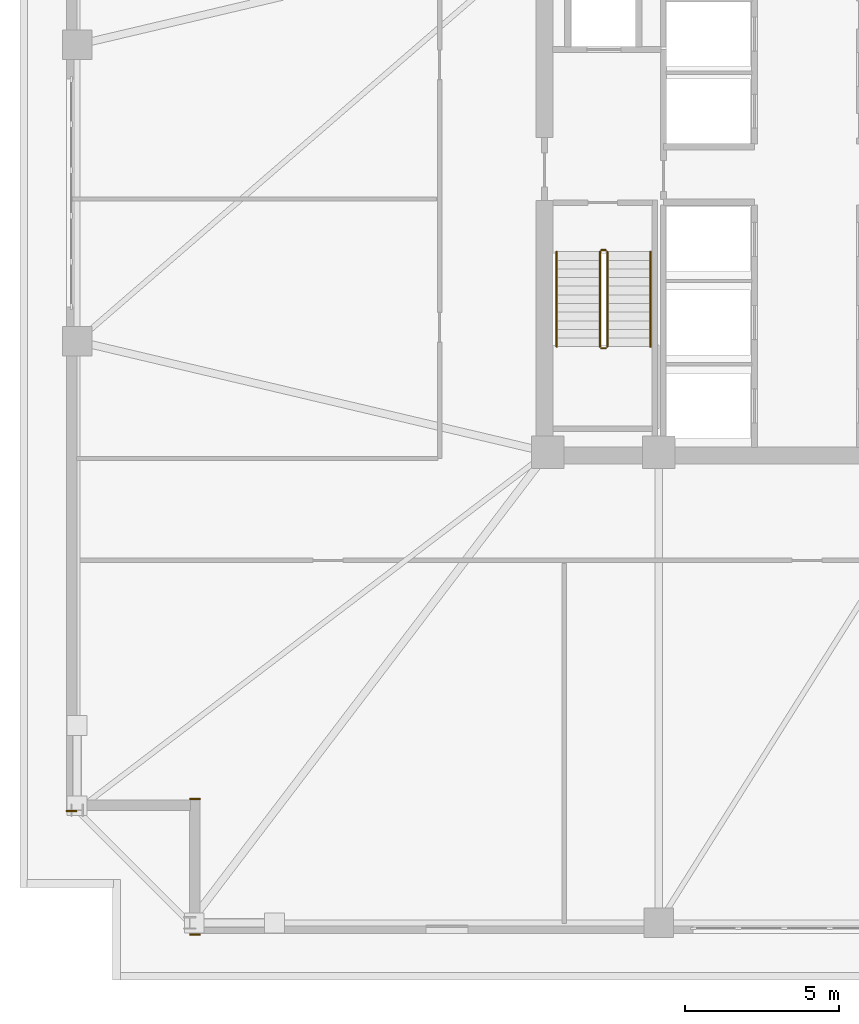
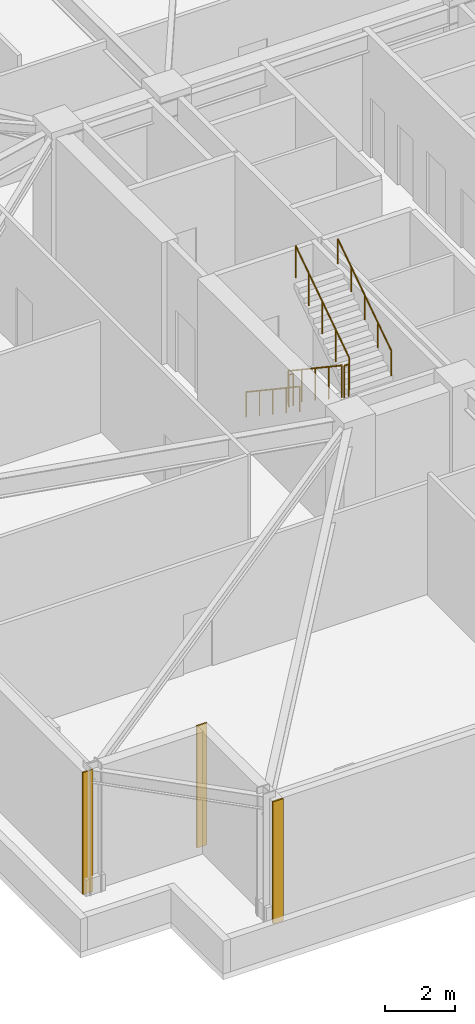
# One storey, part 10 of 13: 6 railings, 3 coverings.
"""IFC4 building model written with IfcOpenShell, lengths in metres."""

import ifcopenshell
import ifcopenshell.guid

model = None  # the IFC model being written
_history = None  # IfcOwnerHistory: only IFC2X3 demands one
_inside = {}  # id of a spatial element -> (the spatial element, [elements in it])
_under = {}  # id of a project, library or spatial element -> (it, [spatial elements below it])
_declared = {}  # id of a project -> (the project, [libraries it declares])
_typed = {}  # id of a type object -> (the type object, [elements of that type])
_made_of = {}  # id of a material, layer set ... -> (it, [elements and type objects made of it])


def new_model(schema):
    """Start an empty IFC model of exactly this schema.

    Asked for "IFC4X3", IfcOpenShell would pick the latest addendum, in which some entities
    have other attributes; the version numbers below select the first issue.
    IFC2X3 requires an IfcOwnerHistory on every rooted entity: one is made here for all.
    """
    global model, _history
    if schema == "IFC4X3":
        model = ifcopenshell.file(schema_version=(4, 3, 0, 0))
    else:
        model = ifcopenshell.file(schema=schema)
    _inside.clear()
    _under.clear()
    _declared.clear()
    _typed.clear()
    _made_of.clear()
    _history = None
    if model.schema == "IFC2X3":
        org = make("IfcOrganization", Name="unknown")
        user = make(
            "IfcPersonAndOrganization",
            ThePerson=make("IfcPerson", FamilyName="unknown"),
            TheOrganization=org,
        )
        app = make(
            "IfcApplication",
            ApplicationDeveloper=org,
            Version="unknown",
            ApplicationFullName="unknown",
            ApplicationIdentifier="unknown",
        )
        _history = make(
            "IfcOwnerHistory",
            OwningUser=user,
            OwningApplication=app,
            ChangeAction="ADDED",
            CreationDate=0,
        )
    return model


def make(cls, **values):
    """One entity of the class cls with the attributes given. An attribute that is None is left unset."""
    return model.create_entity(
        cls, **{name: value for name, value in values.items() if value is not None}
    )


def rooted(cls, **values):
    """An entity with a GlobalId (a new one), such as an element, a storey or a relation."""
    return make(cls, GlobalId=ifcopenshell.guid.new(), OwnerHistory=_history, **values)


def si_unit(unit_type, name, prefix=None):
    """IfcSIUnit, for example si_unit("LENGTHUNIT", "METRE", prefix="MILLI")."""
    return make("IfcSIUnit", UnitType=unit_type, Prefix=prefix, Name=name)


def assignment(units):
    """IfcUnitAssignment: the units of a project."""
    return None if units is None else make("IfcUnitAssignment", Units=units)


def point(xyz):
    """IfcCartesianPoint."""
    return None if xyz is None else make("IfcCartesianPoint", Coordinates=xyz)


def direction(xyz):
    """IfcDirection."""
    return None if xyz is None else make("IfcDirection", DirectionRatios=xyz)


def frame(location, z_axis=None, x_axis=None):
    """IfcAxis2Placement3D, a coordinate frame: its origin and axes. An axis left out is left unset."""
    return make(
        "IfcAxis2Placement3D",
        Location=point(location),
        Axis=direction(z_axis),
        RefDirection=direction(x_axis),
    )


def frame_2d(location, x_axis=None):
    """IfcAxis2Placement2D, a coordinate frame in the plane: its origin and x axis."""
    return make(
        "IfcAxis2Placement2D", Location=point(location), RefDirection=direction(x_axis)
    )


def origin():
    """The frame at (0, 0, 0) with its axes left unset."""
    return frame((0.0, 0.0, 0.0))


def origin_2d():
    """The frame at (0, 0) in the plane with its x axis left unset."""
    return frame_2d((0.0, 0.0))


def place(relative_to, where):
    """IfcLocalPlacement: puts the frame where relative to a parent placement (None: the world)."""
    return make(
        "IfcLocalPlacement", PlacementRelTo=relative_to, RelativePlacement=where
    )


def context(
    kind, dimensions, precision=None, world=None, true_north=None, identifier=None
):
    """IfcGeometricRepresentationContext, for example the 3D "Model" context."""
    return make(
        "IfcGeometricRepresentationContext",
        ContextIdentifier=identifier,
        ContextType=kind,
        CoordinateSpaceDimension=dimensions,
        Precision=precision,
        WorldCoordinateSystem=world,
        TrueNorth=true_north,
    )


def subcontext(parent, identifier, kind, view, scale=None):
    """IfcGeometricRepresentationSubContext, for example "Body" below "Model"."""
    return make(
        "IfcGeometricRepresentationSubContext",
        ContextIdentifier=identifier,
        ContextType=kind,
        ParentContext=parent,
        TargetScale=scale,
        TargetView=view,
    )


def project(units=None, contexts=None):
    """IfcProject with its units and contexts."""
    return rooted(
        "IfcProject",
        Name="project",
        RepresentationContexts=contexts,
        UnitsInContext=assignment(units),
    )


def spatial(cls, under=None, at=None, **own):
    """A site, building, storey or space (cls), placed at a placement, below another one or the project."""
    s = rooted(cls, ObjectPlacement=at, **own)
    if under is not None:
        _under.setdefault(under.id(), (under, []))[1].append(s)
    return s


def profile(cls, at=None, kind="AREA", **sizes):
    """A parametric profile (cls). Its sizes go by their IFC names, for example OverallWidth=200.0."""
    return make(cls, ProfileType=kind, Position=at, **sizes)


def rectangle(**sizes):
    """IfcRectangleProfileDef."""
    return profile("IfcRectangleProfileDef", **sizes)


def circle(**sizes):
    """IfcCircleProfileDef."""
    return profile("IfcCircleProfileDef", **sizes)


def extrude(swept, where, along, depth):
    """IfcExtrudedAreaSolid: the profile swept, set in the frame where, extruded along a direction by depth."""
    return make(
        "IfcExtrudedAreaSolid",
        SweptArea=swept,
        Position=where,
        ExtrudedDirection=direction(along),
        Depth=depth,
    )


def shape(context_of_items, identifier, shape_type, items):
    """IfcShapeRepresentation: the items that make up one representation, for example the "Body"."""
    return make(
        "IfcShapeRepresentation",
        ContextOfItems=context_of_items,
        RepresentationIdentifier=identifier,
        RepresentationType=shape_type,
        Items=items,
    )


def material(Name=None, Category=None):
    """IfcMaterial."""
    return make("IfcMaterial", Name=Name, Category=Category)


def layer(
    of_material, thickness, ventilated=None, Name=None, Category=None, Priority=None
):
    """IfcMaterialLayer: one layer of a wall or slab, of a material (None: an air gap)."""
    return make(
        "IfcMaterialLayer",
        Material=of_material,
        LayerThickness=thickness,
        IsVentilated=ventilated,
        Name=Name,
        Category=Category,
        Priority=Priority,
    )


def layer_set(layers, Name=None):
    """IfcMaterialLayerSet."""
    return make("IfcMaterialLayerSet", MaterialLayers=layers, LayerSetName=Name)


def made_of(thing, what):
    """Note that an element or type object is made of a material, layer set ...; save() writes the relation."""
    if what is not None:
        _made_of.setdefault(what.id(), (what, []))[1].append(thing)
    return thing


def type_object(cls, material=None, **own):
    """A type object (cls), such as IfcWallType, which elements share."""
    return made_of(rooted(cls, **own), material)


def element(
    cls,
    number,
    at=None,
    inside=None,
    cuts=None,
    type_object=None,
    material=None,
    context=None,
    identifier="Body",
    shape_type=None,
    held_by="IfcProductDefinitionShape",
    body=None,
    shapes=None,
    **own,
):
    """One element of the class cls, such as IfcWall. Its Tag is "e" and its number.

    at: its placement. inside: the storey or other place that contains it. cuts: it is an
    opening in that element (IfcRelVoidsElement). A single representation is given by context,
    identifier, shape_type and body (its items); several are given by shapes. held_by: the class
    of the entity that holds the representations. save() writes the other relations.
    """
    e = rooted(cls, Tag="e%d" % number, ObjectPlacement=at, **own)
    if body is not None:
        shapes = [shape(context, identifier, shape_type, body)]
    if shapes is not None:
        e.Representation = make(held_by, Representations=shapes)
    if inside is not None:
        _inside.setdefault(inside.id(), (inside, []))[1].append(e)
    if cuts is not None:
        rooted(
            "IfcRelVoidsElement", RelatingBuildingElement=cuts, RelatedOpeningElement=e
        )
    if type_object is not None:
        _typed.setdefault(type_object.id(), (type_object, []))[1].append(e)
    return made_of(e, material)


def aggregate(whole, parts):
    """IfcRelAggregates: a whole, such as a stair, and the parts it consists of."""
    return rooted("IfcRelAggregates", RelatingObject=whole, RelatedObjects=parts)


def save(model, path):
    """Write the relations noted so far, then the file.

    IfcRelAggregates (storeys below a building ...), IfcRelContainedInSpatialStructure (elements
    in a storey), IfcRelDefinesByType, IfcRelAssociatesMaterial and IfcRelDeclares: one each for
    every whole, place, type object, material and project.
    """
    for whole, parts in _under.values():
        aggregate(whole, parts)
    for where, things in _inside.values():
        rooted(
            "IfcRelContainedInSpatialStructure",
            RelatedElements=things,
            RelatingStructure=where,
        )
    for kind, things in _typed.values():
        rooted("IfcRelDefinesByType", RelatedObjects=things, RelatingType=kind)
    for what, things in _made_of.values():
        rooted("IfcRelAssociatesMaterial", RelatedObjects=things, RelatingMaterial=what)
    for by, libraries in _declared.values():
        rooted("IfcRelDeclares", RelatingContext=by, RelatedDefinitions=libraries)
    model.write(path)


model = new_model("IFC4")

# Units and contexts
model_context = context("Model", 3, precision=1e-05, world=origin(), true_north=direction((0.0, 1.0)))
body_context = subcontext(model_context, "Body", "Model", "MODEL_VIEW")
ifc_project = project(units=[si_unit("LENGTHUNIT", "METRE"), si_unit("AREAUNIT", "SQUARE_METRE"), si_unit("VOLUMEUNIT", "CUBIC_METRE"), si_unit("PLANEANGLEUNIT", "RADIAN"), si_unit("MASSUNIT", "GRAM", prefix="KILO")], contexts=[model_context])

# Site, building, storey
site_placement = place(None, origin())
site = spatial("IfcSite", under=ifc_project, at=site_placement, CompositionType="ELEMENT")
building_placement = place(site_placement, origin())
building = spatial("IfcBuilding", under=site, at=building_placement, Name="Cairnveth Concourse Tower", CompositionType="ELEMENT")
storey_placement = place(building_placement, frame((0.0, 0.0, 101.5)))
storey = spatial("IfcBuildingStorey", under=building, at=storey_placement, Name="L27", CompositionType="ELEMENT", Elevation=101.5)

# Coverings
ifc_material_1 = material(Name="Dressed Melbourne Bluestone Cladding", Category="masonry")
ifc_layer = layer(ifc_material_1, 0.050048828125)
ifc_layer_set = layer_set([ifc_layer], Name="Dressed Melbourne Bluestone Cladding")
covering_type = type_object("IfcCoveringType", Name="DRESSED BLUESTONE PLINTH CLADDING 50", PredefinedType="CLADDING", material=ifc_layer_set)
for number, where, z_axis, x_axis, name in (
    (1, (32.340087890625, 14.97998046875, 0.0), (0.0, 0.0, 1.0), (-1.0, 0.0, 0.0), "Melbourne Bluestone Corner Quoin L27-378"),
    (2, (32.340087890625, 19.360107421875, 0.0), (0.0, 0.0, 1.0), (-1.0, 0.0, 0.0), "Melbourne Bluestone Corner Quoin L27-379"),
    (3, (28.340087890625, 18.97998046875, 0.0), (0.0, 0.0, 1.0), (-1.0, 0.0, 0.0), "Melbourne Bluestone Corner Quoin L27-380"),
):
    element("IfcCovering", number, at=place(storey_placement, frame(where, z_axis=z_axis, x_axis=x_axis)), inside=storey, type_object=covering_type, Name=name, PredefinedType="CLADDING", context=body_context, shape_type="SweptSolid", body=[
        extrude(rectangle(XDim=0.340087890625, YDim=0.050048828125, at=frame_2d((0.169921875, 0.0))), origin(), (0.0, 0.0, 1.0), 4.280029296875),
    ])

# Railings
ifc_material_2 = material(Name="Steel Grade 350", Category="steel")
railing_type_1 = type_object("IfcRailingType", Name="STAIR GUARDRAIL 1150", PredefinedType="GUARDRAIL", material=ifc_material_2)
railing_1_placement = place(storey_placement, frame((45.2900390625, 37.10009765625, 0.1875)))
element("IfcRailing", 4, at=railing_1_placement, inside=storey, type_object=railing_type_1, Name="L27 ST-1 stair guard 1", PredefinedType="GUARDRAIL", context=body_context, shape_type="SweptSolid", body=[
    extrude(circle(Radius=0.02392578125, at=origin_2d()), frame((0.0, 0.0, 1.1259765625), z_axis=(0.0, -0.830913701846, 0.55640131208), x_axis=(1.0, 0.0, 0.0)), (0.0, 0.0, 1.0), 3.706787109375),
    extrude(circle(Radius=0.02099609375, at=origin_2d()), origin(), (0.0, 0.0, 1.0), 1.101806640625),
    extrude(circle(Radius=0.02099609375, at=origin_2d()), frame((0.0, -0.77001953125, 0.515625)), (0.0, 0.0, 1.0), 1.101806640625),
    extrude(circle(Radius=0.02099609375, at=origin_2d()), frame((0.0, -1.5400390625, 1.03125)), (0.0, 0.0, 1.0), 1.101806640625),
    extrude(circle(Radius=0.02099609375, at=origin_2d()), frame((0.0, -2.31005859375, 1.546875)), (0.0, 0.0, 1.0), 1.101806640625),
    extrude(circle(Radius=0.02099609375, at=origin_2d()), frame((0.0, -3.080078125, 2.0625)), (0.0, 0.0, 1.0), 1.101806640625),
])
railing_2_placement = place(storey_placement, frame((45.340087890625, 33.969970703125, 2.25)))
element("IfcRailing", 5, at=railing_2_placement, inside=storey, type_object=railing_type_1, Name="L27 ST-1 stair guard 2", PredefinedType="GUARDRAIL", context=body_context, shape_type="SweptSolid", body=[
    extrude(circle(Radius=0.02392578125, at=origin_2d()), frame((0.0, 0.0, 1.1259765625), z_axis=(1.0, 0.0, 0.0), x_axis=(0.0, 1.0, 0.0)), (0.0, 0.0, 1.0), 0.139892578125),
    extrude(circle(Radius=0.02099609375, at=origin_2d()), origin(), (0.0, 0.0, 1.0), 1.101806640625),
    extrude(circle(Radius=0.02099609375, at=origin_2d()), frame((0.139892578125, 0.0, 0.0)), (0.0, 0.0, 1.0), 1.101806640625),
])
railing_3_placement = place(storey_placement, frame((45.530029296875, 34.02001953125, 2.4375)))
element("IfcRailing", 6, at=railing_3_placement, inside=storey, type_object=railing_type_1, Name="L27 ST-1 stair guard 3", PredefinedType="GUARDRAIL", context=body_context, shape_type="SweptSolid", body=[
    extrude(circle(Radius=0.02392578125, at=origin_2d()), frame((0.0, 0.0, 1.1259765625), z_axis=(0.0, 0.830913701846, 0.55640131208), x_axis=(-1.0, 0.0, 0.0)), (0.0, 0.0, 1.0), 3.706787109375),
    extrude(circle(Radius=0.02099609375, at=origin_2d()), origin(), (0.0, 0.0, 1.0), 1.101806640625),
    extrude(circle(Radius=0.02099609375, at=origin_2d()), frame((0.0, 0.77001953125, 0.515625)), (0.0, 0.0, 1.0), 1.101806640625),
    extrude(circle(Radius=0.02099609375, at=origin_2d()), frame((0.0, 1.5400390625, 1.03125)), (0.0, 0.0, 1.0), 1.101806640625),
    extrude(circle(Radius=0.02099609375, at=origin_2d()), frame((0.0, 2.31005859375, 1.546875)), (0.0, 0.0, 1.0), 1.101806640625),
    extrude(circle(Radius=0.02099609375, at=origin_2d()), frame((0.0, 3.080078125, 2.0625)), (0.0, 0.0, 1.0), 1.101806640625),
])
railing_4_placement = place(storey_placement, frame((45.340087890625, 37.14990234375, 0.0)))
element("IfcRailing", 7, at=railing_4_placement, inside=storey, type_object=railing_type_1, Name="L27 ST-1 stair guard 4", PredefinedType="GUARDRAIL", context=body_context, shape_type="SweptSolid", body=[
    extrude(circle(Radius=0.02392578125, at=origin_2d()), frame((0.0, 0.0, 1.1259765625), z_axis=(1.0, 0.0, 0.0), x_axis=(0.0, 1.0, 0.0)), (0.0, 0.0, 1.0), 0.139892578125),
    extrude(circle(Radius=0.02099609375, at=origin_2d()), origin(), (0.0, 0.0, 1.0), 1.101806640625),
    extrude(circle(Radius=0.02099609375, at=origin_2d()), frame((0.139892578125, 0.0, 0.0)), (0.0, 0.0, 1.0), 1.101806640625),
])
railing_type_2 = type_object("IfcRailingType", Name="STAIR WALL HANDRAIL 900", PredefinedType="HANDRAIL", material=ifc_material_2)
railing_5_placement = place(storey_placement, frame((43.889892578125, 37.10009765625, 0.1875)))
element("IfcRailing", 8, at=railing_5_placement, inside=storey, type_object=railing_type_2, Name="L27 ST-1 stair handrail 1", PredefinedType="HANDRAIL", context=body_context, shape_type="SweptSolid", body=[
    extrude(circle(Radius=0.02392578125, at=origin_2d()), frame((0.0, 0.0, 0.8759765625), z_axis=(0.0, -0.830913701846, 0.55640131208), x_axis=(1.0, 0.0, 0.0)), (0.0, 0.0, 1.0), 3.706787109375),
    extrude(circle(Radius=0.02099609375, at=origin_2d()), origin(), (0.0, 0.0, 1.0), 0.851806640625),
    extrude(circle(Radius=0.02099609375, at=origin_2d()), frame((0.0, -0.77001953125, 0.515625)), (0.0, 0.0, 1.0), 0.851806640625),
    extrude(circle(Radius=0.02099609375, at=origin_2d()), frame((0.0, -1.5400390625, 1.03125)), (0.0, 0.0, 1.0), 0.851806640625),
    extrude(circle(Radius=0.02099609375, at=origin_2d()), frame((0.0, -2.31005859375, 1.546875)), (0.0, 0.0, 1.0), 0.851806640625),
    extrude(circle(Radius=0.02099609375, at=origin_2d()), frame((0.0, -3.080078125, 2.0625)), (0.0, 0.0, 1.0), 0.851806640625),
])
railing_6_placement = place(storey_placement, frame((46.929931640625, 34.02001953125, 2.4375)))
element("IfcRailing", 9, at=railing_6_placement, inside=storey, type_object=railing_type_2, Name="L27 ST-1 stair handrail 2", PredefinedType="HANDRAIL", context=body_context, shape_type="SweptSolid", body=[
    extrude(circle(Radius=0.02392578125, at=origin_2d()), frame((0.0, 0.0, 0.8759765625), z_axis=(0.0, 0.830913701846, 0.55640131208), x_axis=(-1.0, 0.0, 0.0)), (0.0, 0.0, 1.0), 3.706787109375),
    extrude(circle(Radius=0.02099609375, at=origin_2d()), origin(), (0.0, 0.0, 1.0), 0.851806640625),
    extrude(circle(Radius=0.02099609375, at=origin_2d()), frame((0.0, 0.77001953125, 0.515625)), (0.0, 0.0, 1.0), 0.851806640625),
    extrude(circle(Radius=0.02099609375, at=origin_2d()), frame((0.0, 1.5400390625, 1.03125)), (0.0, 0.0, 1.0), 0.851806640625),
    extrude(circle(Radius=0.02099609375, at=origin_2d()), frame((0.0, 2.31005859375, 1.546875)), (0.0, 0.0, 1.0), 0.851806640625),
    extrude(circle(Radius=0.02099609375, at=origin_2d()), frame((0.0, 3.080078125, 2.0625)), (0.0, 0.0, 1.0), 0.851806640625),
])

save(model, "model.ifc")
